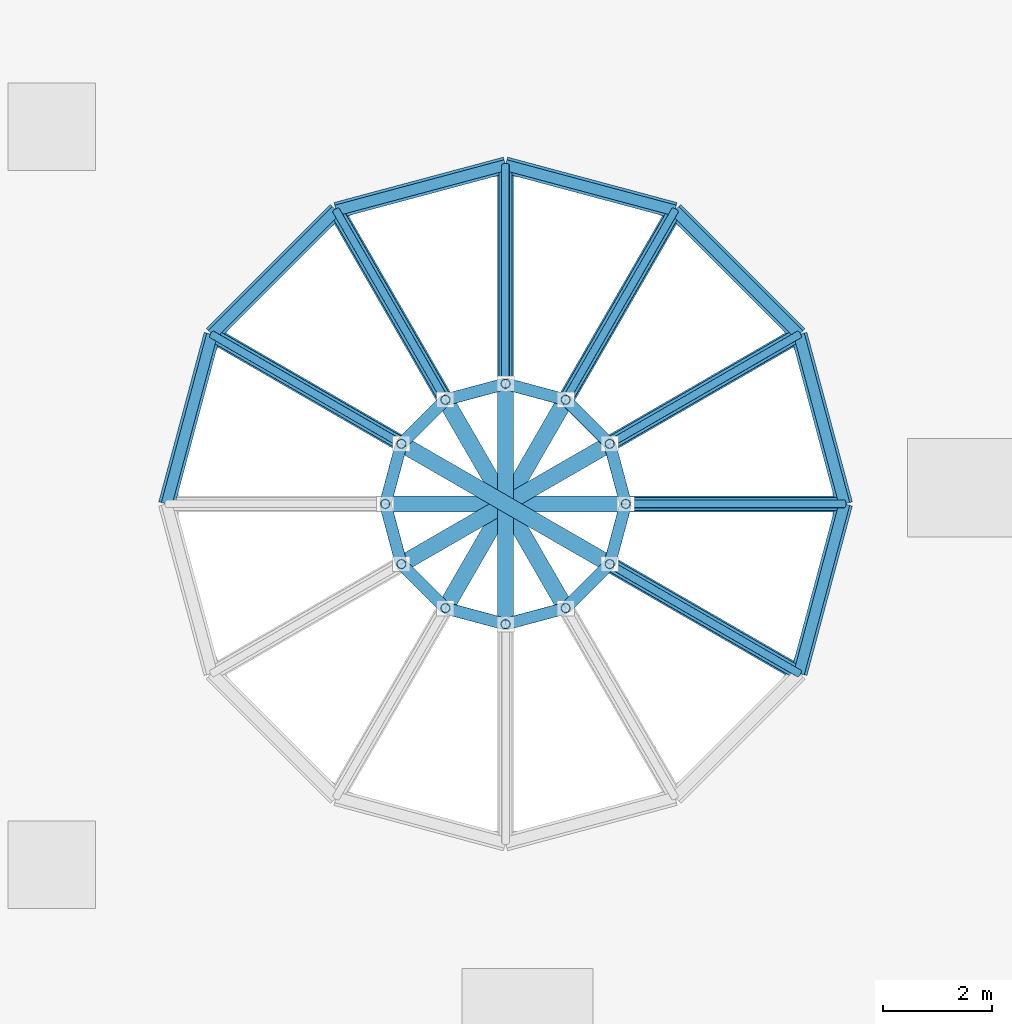
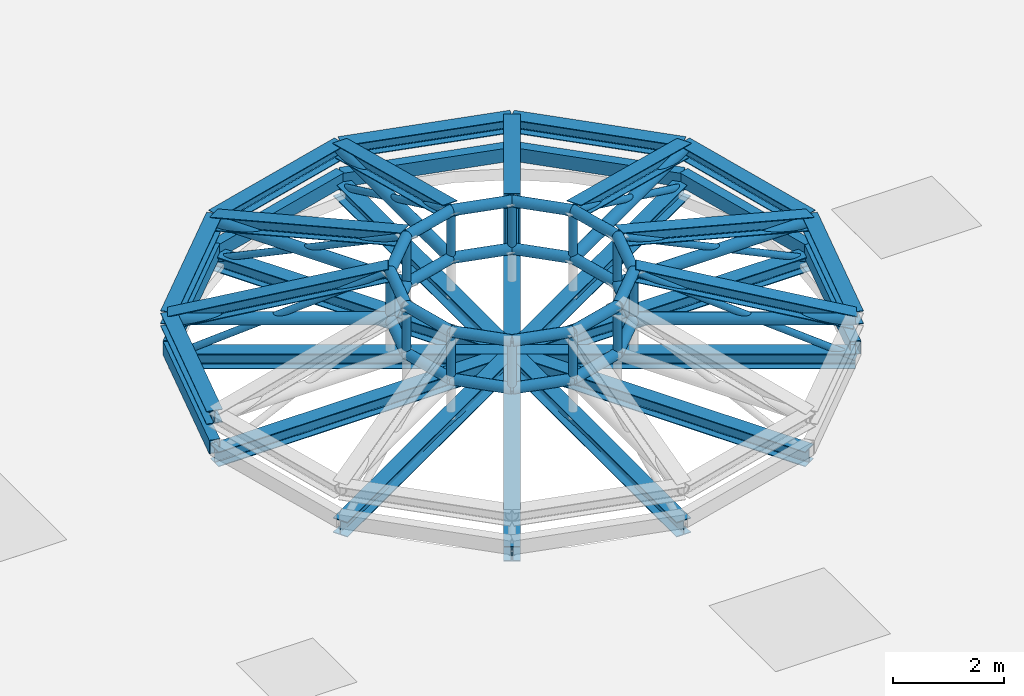
# One storey, part 3 of 105: 51 beams, 26 members.
"""IFC4 building model written with IfcOpenShell, lengths in metres."""

import ifcopenshell
import ifcopenshell.guid

model = None  # the IFC model being written
_history = None  # IfcOwnerHistory: only IFC2X3 demands one
_inside = {}  # id of a spatial element -> (the spatial element, [elements in it])
_under = {}  # id of a project, library or spatial element -> (it, [spatial elements below it])
_declared = {}  # id of a project -> (the project, [libraries it declares])
_typed = {}  # id of a type object -> (the type object, [elements of that type])
_made_of = {}  # id of a material, layer set ... -> (it, [elements and type objects made of it])


def new_model(schema):
    """Start an empty IFC model of exactly this schema.

    Asked for "IFC4X3", IfcOpenShell would pick the latest addendum, in which some entities
    have other attributes; the version numbers below select the first issue.
    IFC2X3 requires an IfcOwnerHistory on every rooted entity: one is made here for all.
    """
    global model, _history
    if schema == "IFC4X3":
        model = ifcopenshell.file(schema_version=(4, 3, 0, 0))
    else:
        model = ifcopenshell.file(schema=schema)
    _inside.clear()
    _under.clear()
    _declared.clear()
    _typed.clear()
    _made_of.clear()
    _history = None
    if model.schema == "IFC2X3":
        org = make("IfcOrganization", Name="unknown")
        user = make(
            "IfcPersonAndOrganization",
            ThePerson=make("IfcPerson", FamilyName="unknown"),
            TheOrganization=org,
        )
        app = make(
            "IfcApplication",
            ApplicationDeveloper=org,
            Version="unknown",
            ApplicationFullName="unknown",
            ApplicationIdentifier="unknown",
        )
        _history = make(
            "IfcOwnerHistory",
            OwningUser=user,
            OwningApplication=app,
            ChangeAction="ADDED",
            CreationDate=0,
        )
    return model


def make(cls, **values):
    """One entity of the class cls with the attributes given. An attribute that is None is left unset."""
    return model.create_entity(
        cls, **{name: value for name, value in values.items() if value is not None}
    )


def rooted(cls, **values):
    """An entity with a GlobalId (a new one), such as an element, a storey or a relation."""
    return make(cls, GlobalId=ifcopenshell.guid.new(), OwnerHistory=_history, **values)


def si_unit(unit_type, name, prefix=None):
    """IfcSIUnit, for example si_unit("LENGTHUNIT", "METRE", prefix="MILLI")."""
    return make("IfcSIUnit", UnitType=unit_type, Prefix=prefix, Name=name)


def assignment(units):
    """IfcUnitAssignment: the units of a project."""
    return None if units is None else make("IfcUnitAssignment", Units=units)


def point(xyz):
    """IfcCartesianPoint."""
    return None if xyz is None else make("IfcCartesianPoint", Coordinates=xyz)


def direction(xyz):
    """IfcDirection."""
    return None if xyz is None else make("IfcDirection", DirectionRatios=xyz)


def frame(location, z_axis=None, x_axis=None):
    """IfcAxis2Placement3D, a coordinate frame: its origin and axes. An axis left out is left unset."""
    return make(
        "IfcAxis2Placement3D",
        Location=point(location),
        Axis=direction(z_axis),
        RefDirection=direction(x_axis),
    )


def frame_2d(location, x_axis=None):
    """IfcAxis2Placement2D, a coordinate frame in the plane: its origin and x axis."""
    return make(
        "IfcAxis2Placement2D", Location=point(location), RefDirection=direction(x_axis)
    )


def origin():
    """The frame at (0, 0, 0) with its axes left unset."""
    return frame((0.0, 0.0, 0.0))


def origin_2d():
    """The frame at (0, 0) in the plane with its x axis left unset."""
    return frame_2d((0.0, 0.0))


def place(relative_to, where):
    """IfcLocalPlacement: puts the frame where relative to a parent placement (None: the world)."""
    return make(
        "IfcLocalPlacement", PlacementRelTo=relative_to, RelativePlacement=where
    )


def context(
    kind, dimensions, precision=None, world=None, true_north=None, identifier=None
):
    """IfcGeometricRepresentationContext, for example the 3D "Model" context."""
    return make(
        "IfcGeometricRepresentationContext",
        ContextIdentifier=identifier,
        ContextType=kind,
        CoordinateSpaceDimension=dimensions,
        Precision=precision,
        WorldCoordinateSystem=world,
        TrueNorth=true_north,
    )


def subcontext(parent, identifier, kind, view, scale=None):
    """IfcGeometricRepresentationSubContext, for example "Body" below "Model"."""
    return make(
        "IfcGeometricRepresentationSubContext",
        ContextIdentifier=identifier,
        ContextType=kind,
        ParentContext=parent,
        TargetScale=scale,
        TargetView=view,
    )


def project(units=None, contexts=None):
    """IfcProject with its units and contexts."""
    return rooted(
        "IfcProject",
        Name="project",
        RepresentationContexts=contexts,
        UnitsInContext=assignment(units),
    )


def spatial(cls, under=None, at=None, **own):
    """A site, building, storey or space (cls), placed at a placement, below another one or the project."""
    s = rooted(cls, ObjectPlacement=at, **own)
    if under is not None:
        _under.setdefault(under.id(), (under, []))[1].append(s)
    return s


def profile(cls, at=None, kind="AREA", **sizes):
    """A parametric profile (cls). Its sizes go by their IFC names, for example OverallWidth=200.0."""
    return make(cls, ProfileType=kind, Position=at, **sizes)


def hollow_rectangle(**sizes):
    """IfcRectangleHollowProfileDef."""
    return profile("IfcRectangleHollowProfileDef", **sizes)


def hollow_circle(**sizes):
    """IfcCircleHollowProfileDef."""
    return profile("IfcCircleHollowProfileDef", **sizes)


def i_section(**sizes):
    """IfcIShapeProfileDef."""
    return profile("IfcIShapeProfileDef", **sizes)


def extrude(swept, where, along, depth):
    """IfcExtrudedAreaSolid: the profile swept, set in the frame where, extruded along a direction by depth."""
    return make(
        "IfcExtrudedAreaSolid",
        SweptArea=swept,
        Position=where,
        ExtrudedDirection=direction(along),
        Depth=depth,
    )


def shape(context_of_items, identifier, shape_type, items):
    """IfcShapeRepresentation: the items that make up one representation, for example the "Body"."""
    return make(
        "IfcShapeRepresentation",
        ContextOfItems=context_of_items,
        RepresentationIdentifier=identifier,
        RepresentationType=shape_type,
        Items=items,
    )


def material(Name=None, Category=None):
    """IfcMaterial."""
    return make("IfcMaterial", Name=Name, Category=Category)


def material_profile(
    of_material, cross_section, Name=None, Category=None, Priority=None
):
    """IfcMaterialProfile: a cross section and its material."""
    return make(
        "IfcMaterialProfile",
        Name=Name,
        Material=of_material,
        Profile=cross_section,
        Priority=Priority,
        Category=Category,
    )


def profile_set(profiles, Name=None, composite=None):
    """IfcMaterialProfileSet."""
    return make(
        "IfcMaterialProfileSet",
        Name=Name,
        MaterialProfiles=profiles,
        CompositeProfile=composite,
    )


def made_of(thing, what):
    """Note that an element or type object is made of a material, layer set ...; save() writes the relation."""
    if what is not None:
        _made_of.setdefault(what.id(), (what, []))[1].append(thing)
    return thing


def type_object(cls, material=None, **own):
    """A type object (cls), such as IfcWallType, which elements share."""
    return made_of(rooted(cls, **own), material)


def element(
    cls,
    number,
    at=None,
    inside=None,
    cuts=None,
    type_object=None,
    material=None,
    context=None,
    identifier="Body",
    shape_type=None,
    held_by="IfcProductDefinitionShape",
    body=None,
    shapes=None,
    **own,
):
    """One element of the class cls, such as IfcWall. Its Tag is "e" and its number.

    at: its placement. inside: the storey or other place that contains it. cuts: it is an
    opening in that element (IfcRelVoidsElement). A single representation is given by context,
    identifier, shape_type and body (its items); several are given by shapes. held_by: the class
    of the entity that holds the representations. save() writes the other relations.
    """
    e = rooted(cls, Tag="e%d" % number, ObjectPlacement=at, **own)
    if body is not None:
        shapes = [shape(context, identifier, shape_type, body)]
    if shapes is not None:
        e.Representation = make(held_by, Representations=shapes)
    if inside is not None:
        _inside.setdefault(inside.id(), (inside, []))[1].append(e)
    if cuts is not None:
        rooted(
            "IfcRelVoidsElement", RelatingBuildingElement=cuts, RelatedOpeningElement=e
        )
    if type_object is not None:
        _typed.setdefault(type_object.id(), (type_object, []))[1].append(e)
    return made_of(e, material)


def aggregate(whole, parts):
    """IfcRelAggregates: a whole, such as a stair, and the parts it consists of."""
    return rooted("IfcRelAggregates", RelatingObject=whole, RelatedObjects=parts)


def save(model, path):
    """Write the relations noted so far, then the file.

    IfcRelAggregates (storeys below a building ...), IfcRelContainedInSpatialStructure (elements
    in a storey), IfcRelDefinesByType, IfcRelAssociatesMaterial and IfcRelDeclares: one each for
    every whole, place, type object, material and project.
    """
    for whole, parts in _under.values():
        aggregate(whole, parts)
    for where, things in _inside.values():
        rooted(
            "IfcRelContainedInSpatialStructure",
            RelatedElements=things,
            RelatingStructure=where,
        )
    for kind, things in _typed.values():
        rooted("IfcRelDefinesByType", RelatedObjects=things, RelatingType=kind)
    for what, things in _made_of.values():
        rooted("IfcRelAssociatesMaterial", RelatedObjects=things, RelatingMaterial=what)
    for by, libraries in _declared.values():
        rooted("IfcRelDeclares", RelatingContext=by, RelatedDefinitions=libraries)
    model.write(path)


model = new_model("IFC4")

# Units and contexts
model_context = context("Model", 3, precision=1e-05, world=origin(), true_north=direction((0.0, 1.0)))
body_context = subcontext(model_context, "Body", "Model", "MODEL_VIEW")
ifc_project = project(units=[si_unit("LENGTHUNIT", "METRE"), si_unit("AREAUNIT", "SQUARE_METRE"), si_unit("VOLUMEUNIT", "CUBIC_METRE"), si_unit("PLANEANGLEUNIT", "RADIAN"), si_unit("MASSUNIT", "GRAM", prefix="KILO")], contexts=[model_context])

# Site, building, storey
site_placement = place(None, origin())
site = spatial("IfcSite", under=ifc_project, at=site_placement, CompositionType="ELEMENT")
building_placement = place(site_placement, origin())
building = spatial("IfcBuilding", under=site, at=building_placement, Name="Pelvatis Terrace Science Centre", CompositionType="ELEMENT")
storey_placement = place(building_placement, frame((0.0, 0.0, 10.199951171875)))
storey = spatial("IfcBuildingStorey", under=building, at=storey_placement, Name="L02", CompositionType="ELEMENT", Elevation=10.199951171875)

# Beams
ifc_material_1 = material(Name="Structural steel S355", Category="steel")
ifc_material_profile_1 = material_profile(ifc_material_1, hollow_circle(Radius=0.109619140625, WallThickness=0.008056640625, at=origin_2d()), Name="CHS 219.1x8.0")
ifc_profile_set_1 = profile_set([ifc_material_profile_1], Name="Structural steel S355")
beam_type_1 = type_object("IfcBeamType", Name="BM-HOOP-CHS219", PredefinedType="BEAM", material=ifc_profile_set_1)
for number, where, z_axis, x_axis, name in (
    (1, (49.0, 35.10009765625, 1.949951171875), (-0.258796817064, 0.965931782, 0.0), (-0.965931782, -0.258796817064, 0.0), "Oculus crown ring 01"),
    (2, (49.0, 35.10009765625, 0.900146484375), (-0.258796817064, 0.965931782, 0.0), (-0.965931782, -0.258796817064, 0.0), "Oculus lower tension ring 01"),
):
    element("IfcBeam", number, at=place(storey_placement, frame(where, z_axis=z_axis, x_axis=x_axis)), inside=storey, type_object=beam_type_1, Name=name, PredefinedType="BEAM", context=body_context, shape_type="SweptSolid", body=[
        extrude(hollow_circle(Radius=0.109619140625, WallThickness=0.008056640625, at=origin_2d()), origin(), (0.0, 0.0, 1.0), 1.138671875),
    ])
for number, where, z_axis, x_axis, name in (
    (3, (48.705322265625, 36.199951171875, 1.949951171875), (-0.707106781187, 0.707106781187, 0.0), (-0.707106781187, -0.707106781187, 0.0), "Oculus crown ring 02"),
    (4, (48.705322265625, 36.199951171875, 0.900146484375), (-0.707106781187, 0.707106781187, 0.0), (-0.707106781187, -0.707106781187, 0.0), "Oculus lower tension ring 02"),
):
    element("IfcBeam", number, at=place(storey_placement, frame(where, z_axis=z_axis, x_axis=x_axis)), inside=storey, type_object=beam_type_1, Name=name, PredefinedType="BEAM", context=body_context, shape_type="SweptSolid", body=[
        extrude(hollow_circle(Radius=0.109619140625, WallThickness=0.008056640625, at=origin_2d()), origin(), (0.0, 0.0, 1.0), 1.138916015625),
    ])
for number, where, z_axis, x_axis, name in (
    (5, (47.89990234375, 37.00537109375, 1.949951171875), (-0.965931782, 0.258796817064, 0.0), (-0.258796817064, -0.965931782, 0.0), "Oculus crown ring 03"),
    (6, (47.89990234375, 37.00537109375, 0.900146484375), (-0.965931782, 0.258796817064, 0.0), (-0.258796817064, -0.965931782, 0.0), "Oculus lower tension ring 03"),
):
    element("IfcBeam", number, at=place(storey_placement, frame(where, z_axis=z_axis, x_axis=x_axis)), inside=storey, type_object=beam_type_1, Name=name, PredefinedType="BEAM", context=body_context, shape_type="SweptSolid", body=[
        extrude(hollow_circle(Radius=0.109619140625, WallThickness=0.008056640625, at=origin_2d()), origin(), (0.0, 0.0, 1.0), 1.138671875),
    ])
for number, where, z_axis, x_axis, name in (
    (7, (46.800048828125, 37.300048828125, 1.949951171875), (-0.965946138039, -0.25874322872, 0.0), (0.25874322872, -0.965946138039, 0.0), "Oculus crown ring 04"),
    (8, (46.800048828125, 37.300048828125, 0.900146484375), (-0.965946138039, -0.25874322872, 0.0), (0.25874322872, -0.965946138039, 0.0), "Oculus lower tension ring 04"),
    (9, (45.699951171875, 37.00537109375, 1.949951171875), (-0.706999586952, -0.707213959174, 0.0), (0.707213959174, -0.706999586952, 0.0), "Oculus crown ring 05"),
    (10, (45.699951171875, 37.00537109375, 0.900146484375), (-0.706999586952, -0.707213959174, 0.0), (0.707213959174, -0.706999586952, 0.0), "Oculus lower tension ring 05"),
):
    element("IfcBeam", number, at=place(storey_placement, frame(where, z_axis=z_axis, x_axis=x_axis)), inside=storey, type_object=beam_type_1, Name=name, PredefinedType="BEAM", context=body_context, shape_type="SweptSolid", body=[
        extrude(hollow_circle(Radius=0.109619140625, WallThickness=0.008056640625, at=origin_2d()), origin(), (0.0, 0.0, 1.0), 1.138916015625),
    ])
for number, where, z_axis, x_axis, name in (
    (11, (44.894775390625, 36.199951171875, 1.949951171875), (-0.258796817064, -0.965931782, 0.0), (0.965931782, -0.258796817064, 0.0), "Oculus crown ring 06"),
    (12, (44.894775390625, 36.199951171875, 0.900146484375), (-0.258796817064, -0.965931782, 0.0), (0.965931782, -0.258796817064, 0.0), "Oculus lower tension ring 06"),
):
    element("IfcBeam", number, at=place(storey_placement, frame(where, z_axis=z_axis, x_axis=x_axis)), inside=storey, type_object=beam_type_1, Name=name, PredefinedType="BEAM", context=body_context, shape_type="SweptSolid", body=[
        extrude(hollow_circle(Radius=0.109619140625, WallThickness=0.008056640625, at=origin_2d()), origin(), (0.0, 0.0, 1.0), 1.138671875),
    ])
for number, where, z_axis, x_axis, name in (
    (13, (44.60009765625, 35.10009765625, 1.949951171875), (0.25874322872, -0.965946138039, 0.0), (0.965946138039, 0.25874322872, 0.0), "Oculus crown ring 07"),
    (14, (44.60009765625, 35.10009765625, 0.900146484375), (0.25874322872, -0.965946138039, 0.0), (0.965946138039, 0.25874322872, 0.0), "Oculus lower tension ring 07"),
    (15, (44.894775390625, 34.0, 1.949951171875), (0.706999586952, -0.707213959174, 0.0), (0.707213959174, 0.706999586952, 0.0), "Oculus crown ring 08"),
    (16, (44.894775390625, 34.0, 0.900146484375), (0.706999586952, -0.707213959174, 0.0), (0.707213959174, 0.706999586952, 0.0), "Oculus lower tension ring 08"),
    (17, (45.699951171875, 33.194580078125, 1.949951171875), (0.965946138039, -0.25874322872, 0.0), (0.25874322872, 0.965946138039, 0.0), "Oculus crown ring 09"),
    (18, (45.699951171875, 33.194580078125, 0.900146484375), (0.965946138039, -0.25874322872, 0.0), (0.25874322872, 0.965946138039, 0.0), "Oculus lower tension ring 09"),
):
    element("IfcBeam", number, at=place(storey_placement, frame(where, z_axis=z_axis, x_axis=x_axis)), inside=storey, type_object=beam_type_1, Name=name, PredefinedType="BEAM", context=body_context, shape_type="SweptSolid", body=[
        extrude(hollow_circle(Radius=0.109619140625, WallThickness=0.008056640625, at=origin_2d()), origin(), (0.0, 0.0, 1.0), 1.138916015625),
    ])
for number, where, z_axis, x_axis, name in (
    (19, (46.800048828125, 32.89990234375, 1.949951171875), (0.965931782, 0.258796817064, 0.0), (-0.258796817064, 0.965931782, 0.0), "Oculus crown ring 10"),
    (20, (46.800048828125, 32.89990234375, 0.900146484375), (0.965931782, 0.258796817064, 0.0), (-0.258796817064, 0.965931782, 0.0), "Oculus lower tension ring 10"),
):
    element("IfcBeam", number, at=place(storey_placement, frame(where, z_axis=z_axis, x_axis=x_axis)), inside=storey, type_object=beam_type_1, Name=name, PredefinedType="BEAM", context=body_context, shape_type="SweptSolid", body=[
        extrude(hollow_circle(Radius=0.109619140625, WallThickness=0.008056640625, at=origin_2d()), origin(), (0.0, 0.0, 1.0), 1.138671875),
    ])
for number, where, z_axis, x_axis, name in (
    (21, (47.89990234375, 33.194580078125, 1.949951171875), (0.707106781187, 0.707106781187, 0.0), (-0.707106781187, 0.707106781187, 0.0), "Oculus crown ring 11"),
    (22, (47.89990234375, 33.194580078125, 0.900146484375), (0.707106781187, 0.707106781187, 0.0), (-0.707106781187, 0.707106781187, 0.0), "Oculus lower tension ring 11"),
    (23, (48.705322265625, 34.0, 1.949951171875), (0.25874322872, 0.965946138039, 0.0), (-0.965946138039, 0.25874322872, 0.0), "Oculus crown ring 12"),
    (24, (48.705322265625, 34.0, 0.900146484375), (0.25874322872, 0.965946138039, 0.0), (-0.965946138039, 0.25874322872, 0.0), "Oculus lower tension ring 12"),
):
    element("IfcBeam", number, at=place(storey_placement, frame(where, z_axis=z_axis, x_axis=x_axis)), inside=storey, type_object=beam_type_1, Name=name, PredefinedType="BEAM", context=body_context, shape_type="SweptSolid", body=[
        extrude(hollow_circle(Radius=0.109619140625, WallThickness=0.008056640625, at=origin_2d()), origin(), (0.0, 0.0, 1.0), 1.138916015625),
    ])
ifc_material_2 = material(Name="Structural steel S355", Category="steel")
ifc_material_profile_2 = material_profile(ifc_material_2, hollow_rectangle(XDim=0.199951171875, YDim=0.300048828125, WallThickness=0.010009765625, at=origin_2d()), Name="RHS 300x200x10.0")
ifc_profile_set_2 = profile_set([ifc_material_profile_2], Name="Structural steel S355")
beam_type_2 = type_object("IfcBeamType", Name="BM-OCUL-RHS300", PredefinedType="SPANDREL", material=ifc_profile_set_2)
beam_1_placement = place(storey_placement, frame((53.0, 35.10009765625, 0.25), z_axis=(-0.258808334578, 0.965928696102, 0.0), x_axis=(-0.965928696102, -0.258808334578, 0.0)))
element("IfcBeam", 25, at=beam_1_placement, inside=storey, type_object=beam_type_2, Name="Entrance oculus steel compression ring 01", PredefinedType="SPANDREL", context=body_context, shape_type="SweptSolid", body=[
    extrude(hollow_rectangle(XDim=0.199951171875, YDim=0.300048828125, WallThickness=0.010009765625, at=origin_2d()), origin(), (0.0, 0.0, 1.0), 3.209228515625),
])
beam_2_placement = place(storey_placement, frame((52.16943359375, 38.199951171875, 0.25), z_axis=(-0.707106781187, 0.707106781187, 0.0), x_axis=(-0.707106781187, -0.707106781187, 0.0)))
element("IfcBeam", 26, at=beam_2_placement, inside=storey, type_object=beam_type_2, Name="Entrance oculus steel compression ring 02", PredefinedType="SPANDREL", context=body_context, shape_type="SweptSolid", body=[
    extrude(hollow_rectangle(XDim=0.199951171875, YDim=0.300048828125, WallThickness=0.010009765625, at=origin_2d()), origin(), (0.0, 0.0, 1.0), 3.209716796875),
])
beam_3_placement = place(storey_placement, frame((49.89990234375, 40.469482421875, 0.25), z_axis=(-0.965928696102, 0.258808334578, 0.0), x_axis=(-0.258808334578, -0.965928696102, 0.0)))
element("IfcBeam", 27, at=beam_3_placement, inside=storey, type_object=beam_type_2, Name="Entrance oculus steel compression ring 03", PredefinedType="SPANDREL", context=body_context, shape_type="SweptSolid", body=[
    extrude(hollow_rectangle(XDim=0.199951171875, YDim=0.300048828125, WallThickness=0.010009765625, at=origin_2d()), origin(), (0.0, 0.0, 1.0), 3.209228515625),
])
for number, where, z_axis, x_axis, name in (
    (28, (46.800048828125, 41.300048828125, 0.25), (-0.9659337912, -0.258789317819, 0.0), (0.258789317819, -0.9659337912, 0.0), "Entrance oculus steel compression ring 04"),
    (29, (43.699951171875, 40.469482421875, 0.25), (-0.707068745266, -0.707144815061, 0.0), (0.707144815061, -0.707068745266, 0.0), "Entrance oculus steel compression ring 05"),
):
    element("IfcBeam", number, at=place(storey_placement, frame(where, z_axis=z_axis, x_axis=x_axis)), inside=storey, type_object=beam_type_2, Name=name, PredefinedType="SPANDREL", context=body_context, shape_type="SweptSolid", body=[
        extrude(hollow_rectangle(XDim=0.199951171875, YDim=0.300048828125, WallThickness=0.010009765625, at=origin_2d()), origin(), (0.0, 0.0, 1.0), 3.20947265625),
    ])
beam_4_placement = place(storey_placement, frame((41.4306640625, 38.199951171875, 0.25), z_axis=(-0.258808334578, -0.965928696102, 0.0), x_axis=(0.965928696102, -0.258808334578, 0.0)))
element("IfcBeam", 30, at=beam_4_placement, inside=storey, type_object=beam_type_2, Name="Entrance oculus steel compression ring 06", PredefinedType="SPANDREL", context=body_context, shape_type="SweptSolid", body=[
    extrude(hollow_rectangle(XDim=0.199951171875, YDim=0.300048828125, WallThickness=0.010009765625, at=origin_2d()), origin(), (0.0, 0.0, 1.0), 3.209228515625),
])
beam_5_placement = place(storey_placement, frame((52.16943359375, 32.0, 0.25), z_axis=(0.258789317819, 0.9659337912, 0.0), x_axis=(-0.9659337912, 0.258789317819, 0.0)))
element("IfcBeam", 31, at=beam_5_placement, inside=storey, type_object=beam_type_2, Name="Entrance oculus steel compression ring 12", PredefinedType="SPANDREL", context=body_context, shape_type="SweptSolid", body=[
    extrude(hollow_rectangle(XDim=0.199951171875, YDim=0.300048828125, WallThickness=0.010009765625, at=origin_2d()), origin(), (0.0, 0.0, 1.0), 3.20947265625),
])
ifc_material_3 = material(Name="Structural steel S355", Category="steel")
ifc_material_profile_3 = material_profile(ifc_material_3, i_section(OverallWidth=0.300048828125, OverallDepth=0.2900390625, WebThickness=0.008544921875, FlangeThickness=0.013916015625, FilletRadius=0.027099609375, at=origin_2d()), Name="HEA 300")
ifc_profile_set_3 = profile_set([ifc_material_profile_3], Name="Structural steel S355")
beam_type_3 = type_object("IfcBeamType", Name="BM-STL-HEA300", PredefinedType="BEAM", material=ifc_profile_set_3)
beam_6_placement = place(storey_placement, frame((53.0, 35.10009765625, 0.900146484375), z_axis=(-0.258808334578, 0.965928696102, 0.0), x_axis=(-0.965928696102, -0.258808334578, 0.0)))
element("IfcBeam", 32, at=beam_6_placement, inside=storey, type_object=beam_type_3, Name="Oculus lantern eave ring 01", PredefinedType="BEAM", context=body_context, shape_type="SweptSolid", body=[
    extrude(i_section(OverallWidth=0.300048828125, OverallDepth=0.2900390625, WebThickness=0.008544921875, FlangeThickness=0.013916015625, FilletRadius=0.027099609375, at=origin_2d()), origin(), (0.0, 0.0, 1.0), 3.209228515625),
])
beam_7_placement = place(storey_placement, frame((53.0, 35.10009765625, 0.900146484375), z_axis=(-0.967242562692, 0.0, 0.253853944066), x_axis=(0.0, -1.0, 0.0)))
element("IfcBeam", 33, at=beam_7_placement, inside=storey, type_object=beam_type_3, Name="Oculus radial steel rib 01", PredefinedType="BEAM", context=body_context, shape_type="SweptSolid", body=[
    extrude(i_section(OverallWidth=0.300048828125, OverallDepth=0.2900390625, WebThickness=0.008544921875, FlangeThickness=0.013916015625, FilletRadius=0.027099609375, at=origin_2d()), origin(), (0.0, 0.0, 1.0), 4.135498046875),
])
beam_8_placement = place(storey_placement, frame((52.16943359375, 38.199951171875, 0.900146484375), z_axis=(-0.707106781187, 0.707106781187, 0.0), x_axis=(-0.707106781187, -0.707106781187, 0.0)))
element("IfcBeam", 34, at=beam_8_placement, inside=storey, type_object=beam_type_3, Name="Oculus lantern eave ring 02", PredefinedType="BEAM", context=body_context, shape_type="SweptSolid", body=[
    extrude(i_section(OverallWidth=0.300048828125, OverallDepth=0.2900390625, WebThickness=0.008544921875, FlangeThickness=0.013916015625, FilletRadius=0.027099609375, at=origin_2d()), origin(), (0.0, 0.0, 1.0), 3.209716796875),
])
beam_9_placement = place(storey_placement, frame((52.16943359375, 38.199951171875, 0.900146484375), z_axis=(-0.837657331602, -0.483620329867, 0.253853444632), x_axis=(0.49999894854, -0.866026010844, 0.0)))
element("IfcBeam", 35, at=beam_9_placement, inside=storey, type_object=beam_type_3, Name="Oculus radial steel rib 02", PredefinedType="BEAM", context=body_context, shape_type="SweptSolid", body=[
    extrude(i_section(OverallWidth=0.300048828125, OverallDepth=0.2900390625, WebThickness=0.008544921875, FlangeThickness=0.013916015625, FilletRadius=0.027099609375, at=origin_2d()), origin(), (0.0, 0.0, 1.0), 4.135498046875),
])
beam_10_placement = place(storey_placement, frame((49.89990234375, 40.469482421875, 0.900146484375), z_axis=(-0.965928696102, 0.258808334578, 0.0), x_axis=(-0.258808334578, -0.965928696102, 0.0)))
element("IfcBeam", 36, at=beam_10_placement, inside=storey, type_object=beam_type_3, Name="Oculus lantern eave ring 03", PredefinedType="BEAM", context=body_context, shape_type="SweptSolid", body=[
    extrude(i_section(OverallWidth=0.300048828125, OverallDepth=0.2900390625, WebThickness=0.008544921875, FlangeThickness=0.013916015625, FilletRadius=0.027099609375, at=origin_2d()), origin(), (0.0, 0.0, 1.0), 3.209228515625),
])
beam_11_placement = place(storey_placement, frame((49.89990234375, 40.469482421875, 0.900146484375), z_axis=(-0.483620329867, -0.837657331602, 0.253853444632), x_axis=(0.866026010844, -0.49999894854, 0.0)))
element("IfcBeam", 37, at=beam_11_placement, inside=storey, type_object=beam_type_3, Name="Oculus radial steel rib 03", PredefinedType="BEAM", context=body_context, shape_type="SweptSolid", body=[
    extrude(i_section(OverallWidth=0.300048828125, OverallDepth=0.2900390625, WebThickness=0.008544921875, FlangeThickness=0.013916015625, FilletRadius=0.027099609375, at=origin_2d()), origin(), (0.0, 0.0, 1.0), 4.135498046875),
])
beam_12_placement = place(storey_placement, frame((46.800048828125, 41.300048828125, 0.900146484375), z_axis=(-0.9659337912, -0.258789317819, 0.0), x_axis=(0.258789317819, -0.9659337912, 0.0)))
element("IfcBeam", 38, at=beam_12_placement, inside=storey, type_object=beam_type_3, Name="Oculus lantern eave ring 04", PredefinedType="BEAM", context=body_context, shape_type="SweptSolid", body=[
    extrude(i_section(OverallWidth=0.300048828125, OverallDepth=0.2900390625, WebThickness=0.008544921875, FlangeThickness=0.013916015625, FilletRadius=0.027099609375, at=origin_2d()), origin(), (0.0, 0.0, 1.0), 3.20947265625),
])
beam_13_placement = place(storey_placement, frame((46.800048828125, 41.300048828125, 0.900146484375), z_axis=(0.0, -0.967242562692, 0.253853944066), x_axis=(1.0, 0.0, 0.0)))
element("IfcBeam", 39, at=beam_13_placement, inside=storey, type_object=beam_type_3, Name="Oculus radial steel rib 04", PredefinedType="BEAM", context=body_context, shape_type="SweptSolid", body=[
    extrude(i_section(OverallWidth=0.300048828125, OverallDepth=0.2900390625, WebThickness=0.008544921875, FlangeThickness=0.013916015625, FilletRadius=0.027099609375, at=origin_2d()), origin(), (0.0, 0.0, 1.0), 4.135498046875),
])
beam_14_placement = place(storey_placement, frame((43.699951171875, 40.469482421875, 0.900146484375), z_axis=(-0.707068745266, -0.707144815061, 0.0), x_axis=(0.707144815061, -0.707068745266, 0.0)))
element("IfcBeam", 40, at=beam_14_placement, inside=storey, type_object=beam_type_3, Name="Oculus lantern eave ring 05", PredefinedType="BEAM", context=body_context, shape_type="SweptSolid", body=[
    extrude(i_section(OverallWidth=0.300048828125, OverallDepth=0.2900390625, WebThickness=0.008544921875, FlangeThickness=0.013916015625, FilletRadius=0.027099609375, at=origin_2d()), origin(), (0.0, 0.0, 1.0), 3.20947265625),
])
beam_15_placement = place(storey_placement, frame((43.699951171875, 40.469482421875, 0.900146484375), z_axis=(0.483620329867, -0.837657331602, 0.253853444632), x_axis=(0.866026010844, 0.49999894854, 0.0)))
element("IfcBeam", 41, at=beam_15_placement, inside=storey, type_object=beam_type_3, Name="Oculus radial steel rib 05", PredefinedType="BEAM", context=body_context, shape_type="SweptSolid", body=[
    extrude(i_section(OverallWidth=0.300048828125, OverallDepth=0.2900390625, WebThickness=0.008544921875, FlangeThickness=0.013916015625, FilletRadius=0.027099609375, at=origin_2d()), origin(), (0.0, 0.0, 1.0), 4.135498046875),
])
beam_16_placement = place(storey_placement, frame((41.4306640625, 38.199951171875, 0.900146484375), z_axis=(-0.258808334578, -0.965928696102, 0.0), x_axis=(0.965928696102, -0.258808334578, 0.0)))
element("IfcBeam", 42, at=beam_16_placement, inside=storey, type_object=beam_type_3, Name="Oculus lantern eave ring 06", PredefinedType="BEAM", context=body_context, shape_type="SweptSolid", body=[
    extrude(i_section(OverallWidth=0.300048828125, OverallDepth=0.2900390625, WebThickness=0.008544921875, FlangeThickness=0.013916015625, FilletRadius=0.027099609375, at=origin_2d()), origin(), (0.0, 0.0, 1.0), 3.209228515625),
])
beam_17_placement = place(storey_placement, frame((41.4306640625, 38.199951171875, 0.900146484375), z_axis=(0.837657331602, -0.483620329867, 0.253853444632), x_axis=(0.49999894854, 0.866026010844, 0.0)))
element("IfcBeam", 43, at=beam_17_placement, inside=storey, type_object=beam_type_3, Name="Oculus radial steel rib 06", PredefinedType="BEAM", context=body_context, shape_type="SweptSolid", body=[
    extrude(i_section(OverallWidth=0.300048828125, OverallDepth=0.2900390625, WebThickness=0.008544921875, FlangeThickness=0.013916015625, FilletRadius=0.027099609375, at=origin_2d()), origin(), (0.0, 0.0, 1.0), 4.135498046875),
])
beam_18_placement = place(storey_placement, frame((52.16943359375, 32.0, 0.900146484375), z_axis=(0.258789317819, 0.9659337912, 0.0), x_axis=(-0.9659337912, 0.258789317819, 0.0)))
element("IfcBeam", 44, at=beam_18_placement, inside=storey, type_object=beam_type_3, Name="Oculus lantern eave ring 12", PredefinedType="BEAM", context=body_context, shape_type="SweptSolid", body=[
    extrude(i_section(OverallWidth=0.300048828125, OverallDepth=0.2900390625, WebThickness=0.008544921875, FlangeThickness=0.013916015625, FilletRadius=0.027099609375, at=origin_2d()), origin(), (0.0, 0.0, 1.0), 3.20947265625),
])
beam_19_placement = place(storey_placement, frame((52.16943359375, 32.0, 0.900146484375), z_axis=(-0.837657331602, 0.483620329867, 0.253853444632), x_axis=(-0.49999894854, -0.866026010844, 0.0)))
element("IfcBeam", 45, at=beam_19_placement, inside=storey, type_object=beam_type_3, Name="Oculus radial steel rib 12", PredefinedType="BEAM", context=body_context, shape_type="SweptSolid", body=[
    extrude(i_section(OverallWidth=0.300048828125, OverallDepth=0.2900390625, WebThickness=0.008544921875, FlangeThickness=0.013916015625, FilletRadius=0.027099609375, at=origin_2d()), origin(), (0.0, 0.0, 1.0), 4.135498046875),
])
ifc_material_4 = material(Name="Structural steel S355", Category="steel")
ifc_material_profile_4 = material_profile(ifc_material_4, i_section(OverallWidth=0.300048828125, OverallDepth=0.330078125, WebThickness=0.009521484375, FlangeThickness=0.0166015625, FilletRadius=0.027099609375, at=origin_2d()), Name="HEA 340")
ifc_profile_set_4 = profile_set([ifc_material_profile_4], Name="Structural steel S355")
beam_type_4 = type_object("IfcBeamType", Name="BM-STL-HEA340", PredefinedType="BEAM", material=ifc_profile_set_4)
for number, where, z_axis, x_axis, name in (
    (46, (53.0, 35.10009765625, 0.050048828125), (-1.0, 0.0, 0.0), (0.0, -1.0, 0.0), "Oculus lantern diametral tie 01"),
    (47, (52.16943359375, 38.199951171875, 0.050048828125), (-0.866028208143, -0.499995142677, 0.0), (0.499995142677, -0.866028208143, 0.0), "Oculus lantern diametral tie 02"),
    (48, (49.89990234375, 40.469482421875, 0.050048828125), (-0.499995142677, -0.866028208143, 0.0), (0.866028208143, -0.499995142677, 0.0), "Oculus lantern diametral tie 03"),
):
    element("IfcBeam", number, at=place(storey_placement, frame(where, z_axis=z_axis, x_axis=x_axis)), inside=storey, type_object=beam_type_4, Name=name, PredefinedType="BEAM", context=body_context, shape_type="SweptSolid", body=[
        extrude(i_section(OverallWidth=0.300048828125, OverallDepth=0.330078125, WebThickness=0.009521484375, FlangeThickness=0.0166015625, FilletRadius=0.027099609375, at=origin_2d()), origin(), (0.0, 0.0, 1.0), 12.39990234375),
    ])
beam_20_placement = place(storey_placement, frame((46.800048828125, 41.300048828125, 0.050048828125), z_axis=(0.0, -1.0, 0.0), x_axis=(1.0, 0.0, 0.0)))
element("IfcBeam", 49, at=beam_20_placement, inside=storey, type_object=beam_type_4, Name="Oculus lantern diametral tie 04", PredefinedType="BEAM", context=body_context, shape_type="SweptSolid", body=[
    extrude(i_section(OverallWidth=0.300048828125, OverallDepth=0.330078125, WebThickness=0.009521484375, FlangeThickness=0.0166015625, FilletRadius=0.027099609375, at=origin_2d()), origin(), (0.0, 0.0, 1.0), 12.400146484375),
])
for number, where, z_axis, x_axis, name in (
    (50, (43.699951171875, 40.469482421875, 0.050048828125), (0.499995142677, -0.866028208143, 0.0), (0.866028208143, 0.499995142677, 0.0), "Oculus lantern diametral tie 05"),
    (51, (41.4306640625, 38.199951171875, 0.050048828125), (0.866028208143, -0.499995142677, 0.0), (0.499995142677, 0.866028208143, 0.0), "Oculus lantern diametral tie 06"),
):
    element("IfcBeam", number, at=place(storey_placement, frame(where, z_axis=z_axis, x_axis=x_axis)), inside=storey, type_object=beam_type_4, Name=name, PredefinedType="BEAM", context=body_context, shape_type="SweptSolid", body=[
        extrude(i_section(OverallWidth=0.300048828125, OverallDepth=0.330078125, WebThickness=0.009521484375, FlangeThickness=0.0166015625, FilletRadius=0.027099609375, at=origin_2d()), origin(), (0.0, 0.0, 1.0), 12.39990234375),
    ])

# Members
ifc_material_5 = material(Name="Structural steel S355", Category="steel")
ifc_material_profile_5 = material_profile(ifc_material_5, hollow_circle(Radius=0.06982421875, WallThickness=0.0048828125, at=origin_2d()), Name="CHS 139.7x5.0")
ifc_profile_set_5 = profile_set([ifc_material_profile_5], Name="Structural steel S355")
member_type_1 = type_object("IfcMemberType", Name="MEM-BRC-CHS140", PredefinedType="BRACE", material=ifc_profile_set_5)
for number, where, z_axis, x_axis, name in (
    (52, (53.0, 35.10009765625, 0.050048828125), (-0.903286050932, 0.0, 0.429038821311), (0.0, -1.0, 0.0), "Oculus lantern truss diagonal 01"),
    (53, (52.16943359375, 38.199951171875, 0.050048828125), (-0.782269518151, -0.451642250525, 0.429038085154), (0.49999894854, -0.866026010844, 0.0), "Oculus lantern truss diagonal 02"),
    (54, (49.89990234375, 40.469482421875, 0.050048828125), (-0.451642250525, -0.782269518151, 0.429038085154), (0.866026010844, -0.49999894854, 0.0), "Oculus lantern truss diagonal 03"),
    (55, (46.800048828125, 41.300048828125, 0.050048828125), (0.0, -0.903286050932, 0.429038821311), (1.0, 0.0, 0.0), "Oculus lantern truss diagonal 04"),
    (56, (43.699951171875, 40.469482421875, 0.050048828125), (0.451642250525, -0.782269518151, 0.429038085154), (0.866026010844, 0.49999894854, 0.0), "Oculus lantern truss diagonal 05"),
    (57, (41.4306640625, 38.199951171875, 0.050048828125), (0.782269518151, -0.451642250525, 0.429038085154), (0.49999894854, 0.866026010844, 0.0), "Oculus lantern truss diagonal 06"),
    (58, (52.16943359375, 32.0, 0.050048828125), (-0.782269518151, 0.451642250525, 0.429038085154), (-0.49999894854, -0.866026010844, 0.0), "Oculus lantern truss diagonal 12"),
):
    element("IfcMember", number, at=place(storey_placement, frame(where, z_axis=z_axis, x_axis=x_axis)), inside=storey, type_object=member_type_1, Name=name, PredefinedType="BRACE", context=body_context, shape_type="SweptSolid", body=[
        extrude(hollow_circle(Radius=0.06982421875, WallThickness=0.0048828125, at=origin_2d()), origin(), (0.0, 0.0, 1.0), 4.42822265625),
    ])
ifc_material_6 = material(Name="Structural steel S355", Category="steel")
ifc_material_profile_6 = material_profile(ifc_material_6, hollow_circle(Radius=0.122314453125, WallThickness=0.010009765625, at=origin_2d()), Name="CHS 244.5x10.0")
ifc_profile_set_6 = profile_set([ifc_material_profile_6], Name="Structural steel S355")
member_type_2 = type_object("IfcMemberType", Name="MEM-CHD-CHS244", PredefinedType="CHORD", material=ifc_profile_set_6)
for number, where, z_axis, x_axis, name in (
    (59, (53.0, 35.10009765625, 0.900146484375), (-1.0, 0.0, 0.0), (0.0, -1.0, 0.0), "Oculus radial bottom chord 01"),
    (60, (52.16943359375, 38.199951171875, 0.900146484375), (-0.866026010844, -0.49999894854, 0.0), (0.49999894854, -0.866026010844, 0.0), "Oculus radial bottom chord 02"),
    (61, (49.89990234375, 40.469482421875, 0.900146484375), (-0.49999894854, -0.866026010844, 0.0), (0.866026010844, -0.49999894854, 0.0), "Oculus radial bottom chord 03"),
    (62, (46.800048828125, 41.300048828125, 0.900146484375), (0.0, -1.0, 0.0), (1.0, 0.0, 0.0), "Oculus radial bottom chord 04"),
    (63, (43.699951171875, 40.469482421875, 0.900146484375), (0.49999894854, -0.866026010844, 0.0), (0.866026010844, 0.49999894854, 0.0), "Oculus radial bottom chord 05"),
    (64, (41.4306640625, 38.199951171875, 0.900146484375), (0.866026010844, -0.49999894854, 0.0), (0.49999894854, 0.866026010844, 0.0), "Oculus radial bottom chord 06"),
    (65, (52.16943359375, 32.0, 0.900146484375), (-0.866026010844, 0.49999894854, 0.0), (-0.49999894854, -0.866026010844, 0.0), "Oculus radial bottom chord 12"),
):
    element("IfcMember", number, at=place(storey_placement, frame(where, z_axis=z_axis, x_axis=x_axis)), inside=storey, type_object=member_type_2, Name=name, PredefinedType="CHORD", context=body_context, shape_type="SweptSolid", body=[
        extrude(hollow_circle(Radius=0.122314453125, WallThickness=0.010009765625, at=origin_2d()), origin(), (0.0, 0.0, 1.0), 4.0),
    ])
ifc_material_7 = material(Name="Structural steel S355", Category="steel")
ifc_material_profile_7 = material_profile(ifc_material_7, hollow_circle(Radius=0.084228515625, WallThickness=0.00634765625, at=origin_2d()), Name="CHS 168.3x6.3")
ifc_profile_set_7 = profile_set([ifc_material_profile_7], Name="Structural steel S355")
member_type_3 = type_object("IfcMemberType", Name="MEM-STR-CHS168", PredefinedType="STRUT", material=ifc_profile_set_7)
for number, where, z_axis, x_axis, name in (
    (66, (49.0, 35.10009765625, 0.900146484375), (0.0, 0.0, 1.0), (1.0, 0.0, 0.0), "Oculus crown king strut 01"),
    (67, (48.705322265625, 36.199951171875, 0.900146484375), (0.0, 0.0, 1.0), (1.0, 0.0, 0.0), "Oculus crown king strut 02"),
    (68, (47.89990234375, 37.00537109375, 0.900146484375), (0.0, 0.0, 1.0), (1.0, 0.0, 0.0), "Oculus crown king strut 03"),
    (69, (46.800048828125, 37.300048828125, 0.900146484375), (0.0, 0.0, 1.0), (1.0, 0.0, 0.0), "Oculus crown king strut 04"),
    (70, (45.699951171875, 37.00537109375, 0.900146484375), (0.0, 0.0, 1.0), (1.0, 0.0, 0.0), "Oculus crown king strut 05"),
    (71, (44.894775390625, 36.199951171875, 0.900146484375), (0.0, 0.0, 1.0), (1.0, 0.0, 0.0), "Oculus crown king strut 06"),
    (72, (44.60009765625, 35.10009765625, 0.900146484375), (0.0, 0.0, 1.0), (1.0, 0.0, 0.0), "Oculus crown king strut 07"),
    (73, (44.894775390625, 34.0, 0.900146484375), (0.0, 0.0, 1.0), (1.0, 0.0, 0.0), "Oculus crown king strut 08"),
    (74, (45.699951171875, 33.194580078125, 0.900146484375), (0.0, 0.0, 1.0), (1.0, 0.0, 0.0), "Oculus crown king strut 09"),
    (75, (46.800048828125, 32.89990234375, 0.900146484375), (0.0, 0.0, 1.0), (1.0, 0.0, 0.0), "Oculus crown king strut 10"),
    (76, (47.89990234375, 33.194580078125, 0.900146484375), (0.0, 0.0, 1.0), (1.0, 0.0, 0.0), "Oculus crown king strut 11"),
    (77, (48.705322265625, 34.0, 0.900146484375), (0.0, 0.0, 1.0), (1.0, 0.0, 0.0), "Oculus crown king strut 12"),
):
    element("IfcMember", number, at=place(storey_placement, frame(where, z_axis=z_axis, x_axis=x_axis)), inside=storey, type_object=member_type_3, Name=name, PredefinedType="STRUT", context=body_context, shape_type="SweptSolid", body=[
        extrude(hollow_circle(Radius=0.084228515625, WallThickness=0.00634765625, at=origin_2d()), origin(), (0.0, 0.0, 1.0), 1.0498046875),
    ])

save(model, "model.ifc")
